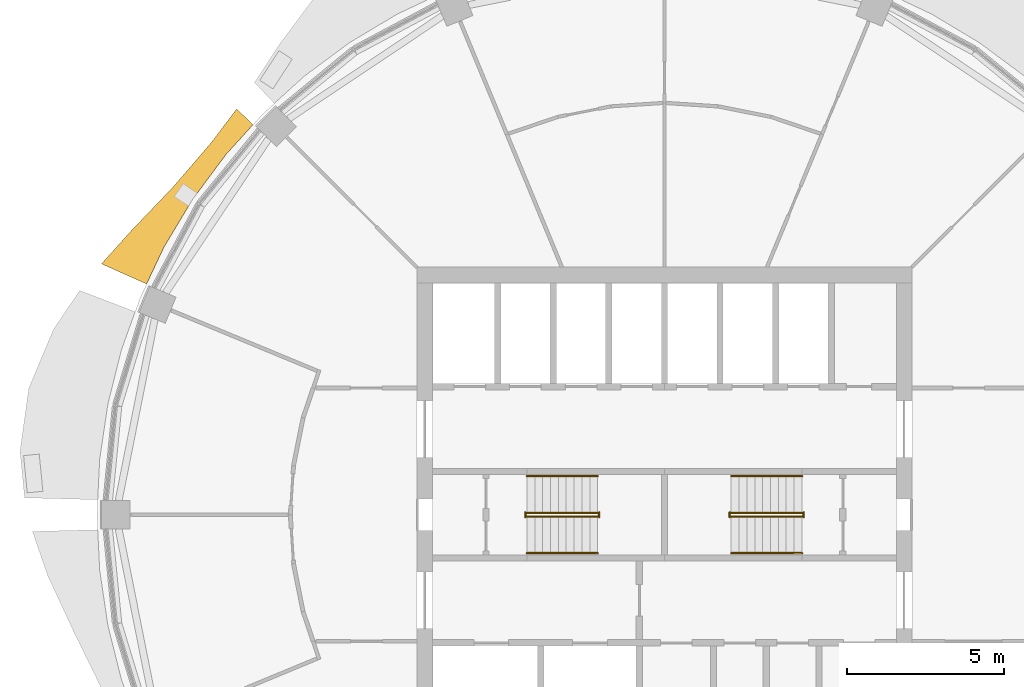
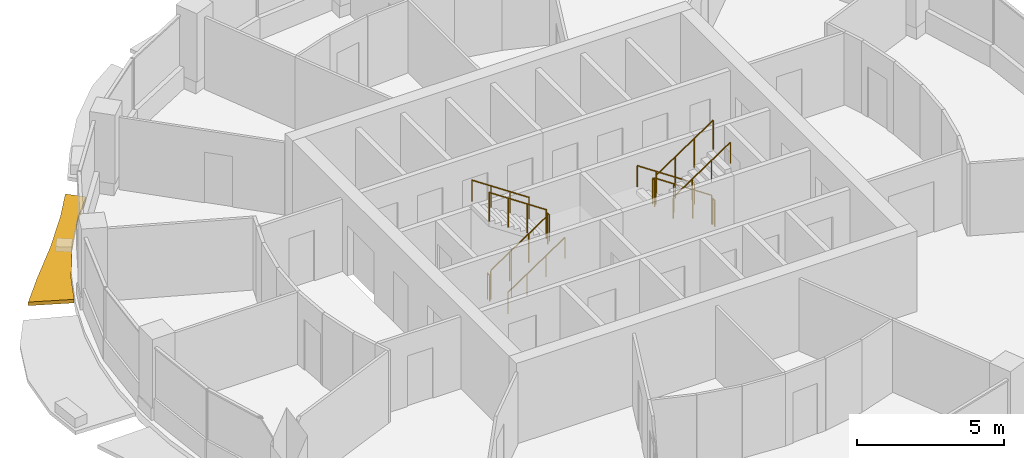
# One storey, part 13 of 15: 12 railings, 1 shading device.
"""IFC4 building model written with IfcOpenShell, lengths in metres."""

from ifc_helpers import new_model, si_unit, direction, frame, origin, origin_2d, place, context, subcontext, project, spatial, polyline, circle, outline, extrude, material, type_object, element, save


model = new_model("IFC4")

# Units and contexts
model_context = context("Model", 3, precision=1e-05, world=origin(), true_north=direction((0.0, 1.0)))
body_context = subcontext(model_context, "Body", "Model", "MODEL_VIEW")
ifc_project = project(units=[si_unit("LENGTHUNIT", "METRE"), si_unit("AREAUNIT", "SQUARE_METRE"), si_unit("VOLUMEUNIT", "CUBIC_METRE"), si_unit("PLANEANGLEUNIT", "RADIAN"), si_unit("MASSUNIT", "GRAM", prefix="KILO")], contexts=[model_context])

# Site, building, storey
site_placement = place(None, origin())
site = spatial("IfcSite", under=ifc_project, at=site_placement, CompositionType="ELEMENT")
building_placement = place(site_placement, origin())
building = spatial("IfcBuilding", under=site, at=building_placement, Name="Polderwave Tower", CompositionType="ELEMENT")
storey_placement = place(building_placement, frame((0.0, 0.0, 187.64990234375)))
storey = spatial("IfcBuildingStorey", under=building, at=storey_placement, Name="L50", CompositionType="ELEMENT", Elevation=187.64990234375)

# Railings
ifc_material_1 = material(Name="Stainless steel", Category="steel")
railing_type_1 = type_object("IfcRailingType", Name="Stair guard 1100", PredefinedType="GUARDRAIL", material=ifc_material_1)
railing_1_placement = place(storey_placement, frame((-4.3740234375, -0.051025390625, 0.04736328125)))
element("IfcRailing", 1, at=railing_1_placement, inside=storey, type_object=railing_type_1, Name="L50 ST-A stair guard 1", PredefinedType="GUARDRAIL", context=body_context, shape_type="SweptSolid", body=[
    extrude(circle(Radius=0.02392578125, at=origin_2d()), frame((0.0, 0.0, 1.1962890625), z_axis=(0.830758306289, 0.0, 0.556633305266), x_axis=(0.0, 1.0, 0.0)), (0.0, 0.0, 1.0), 2.708251953125),
    extrude(circle(Radius=0.02392578125, at=origin_2d()), origin(), (0.0, 0.0, 1.0), 1.172119140625),
    extrude(circle(Radius=0.02392578125, at=origin_2d()), frame((0.75, 0.0, 0.50244140625)), (0.0, 0.0, 1.0), 1.172119140625),
    extrude(circle(Radius=0.02392578125, at=origin_2d()), frame((1.5, 0.0, 1.005126953125)), (0.0, 0.0, 1.0), 1.172119140625),
    extrude(circle(Radius=0.02392578125, at=origin_2d()), frame((2.25, 0.0, 1.507568359375)), (0.0, 0.0, 1.0), 1.172119140625),
])
railing_2_placement = place(storey_placement, frame((-2.073974609375, -0.074951171875, 1.675048828125)))
element("IfcRailing", 2, at=railing_2_placement, inside=storey, type_object=railing_type_1, Name="L50 ST-A stair guard 2", PredefinedType="GUARDRAIL", context=body_context, shape_type="SweptSolid", body=[
    extrude(circle(Radius=0.02392578125, at=origin_2d()), frame((0.0, 0.0, 1.076171875), z_axis=(0.0, 1.0, 0.0), x_axis=(-1.0, 0.0, 0.0)), (0.0, 0.0, 1.0), 0.14990234375),
    extrude(circle(Radius=0.02099609375, at=origin_2d()), origin(), (0.0, 0.0, 1.0), 1.052001953125),
    extrude(circle(Radius=0.02099609375, at=origin_2d()), frame((0.0, 0.14990234375, 0.0)), (0.0, 0.0, 1.0), 1.052001953125),
])
railing_3_placement = place(storey_placement, frame((-2.1240234375, 0.051025390625, 1.722412109375)))
element("IfcRailing", 3, at=railing_3_placement, inside=storey, type_object=railing_type_1, Name="L50 ST-A stair guard 3", PredefinedType="GUARDRAIL", context=body_context, shape_type="SweptSolid", body=[
    extrude(circle(Radius=0.02392578125, at=origin_2d()), frame((0.0, 0.0, 1.1962890625), z_axis=(-0.830758306289, 0.0, 0.556633305266), x_axis=(0.0, -1.0, 0.0)), (0.0, 0.0, 1.0), 2.708251953125),
    extrude(circle(Radius=0.02392578125, at=origin_2d()), origin(), (0.0, 0.0, 1.0), 1.172119140625),
    extrude(circle(Radius=0.02392578125, at=origin_2d()), frame((-0.75, 0.0, 0.50244140625)), (0.0, 0.0, 1.0), 1.172119140625),
    extrude(circle(Radius=0.02392578125, at=origin_2d()), frame((-1.5, 0.0, 1.005126953125)), (0.0, 0.0, 1.0), 1.172119140625),
    extrude(circle(Radius=0.02392578125, at=origin_2d()), frame((-2.25, 0.0, 1.507568359375)), (0.0, 0.0, 1.0), 1.172119140625),
])
railing_4_placement = place(storey_placement, frame((-4.424072265625, -0.074951171875, 0.0)))
element("IfcRailing", 4, at=railing_4_placement, inside=storey, type_object=railing_type_1, Name="L50 ST-A stair guard 4", PredefinedType="GUARDRAIL", context=body_context, shape_type="SweptSolid", body=[
    extrude(circle(Radius=0.02392578125, at=origin_2d()), frame((0.0, 0.0, 1.076171875), z_axis=(0.0, 1.0, 0.0), x_axis=(-1.0, 0.0, 0.0)), (0.0, 0.0, 1.0), 0.14990234375),
    extrude(circle(Radius=0.02099609375, at=origin_2d()), origin(), (0.0, 0.0, 1.0), 1.052001953125),
    extrude(circle(Radius=0.02099609375, at=origin_2d()), frame((0.0, 0.14990234375, 0.0)), (0.0, 0.0, 1.0), 1.052001953125),
])
railing_5_placement = place(storey_placement, frame((4.3740234375, 0.051025390625, 0.04736328125)))
element("IfcRailing", 5, at=railing_5_placement, inside=storey, type_object=railing_type_1, Name="L50 ST-B stair guard 1", PredefinedType="GUARDRAIL", context=body_context, shape_type="SweptSolid", body=[
    extrude(circle(Radius=0.02392578125, at=origin_2d()), frame((0.0, 0.0, 1.1962890625), z_axis=(-0.830758306289, 0.0, 0.556633305266), x_axis=(0.0, -1.0, 0.0)), (0.0, 0.0, 1.0), 2.708251953125),
    extrude(circle(Radius=0.02392578125, at=origin_2d()), origin(), (0.0, 0.0, 1.0), 1.172119140625),
    extrude(circle(Radius=0.02392578125, at=origin_2d()), frame((-0.75, 0.0, 0.50244140625)), (0.0, 0.0, 1.0), 1.172119140625),
    extrude(circle(Radius=0.02392578125, at=origin_2d()), frame((-1.5, 0.0, 1.005126953125)), (0.0, 0.0, 1.0), 1.172119140625),
    extrude(circle(Radius=0.02392578125, at=origin_2d()), frame((-2.25, 0.0, 1.507568359375)), (0.0, 0.0, 1.0), 1.172119140625),
])
railing_6_placement = place(storey_placement, frame((2.073974609375, 0.074951171875, 1.675048828125)))
element("IfcRailing", 6, at=railing_6_placement, inside=storey, type_object=railing_type_1, Name="L50 ST-B stair guard 2", PredefinedType="GUARDRAIL", context=body_context, shape_type="SweptSolid", body=[
    extrude(circle(Radius=0.02392578125, at=origin_2d()), frame((0.0, 0.0, 1.076171875), z_axis=(0.0, -1.0, 0.0), x_axis=(1.0, 0.0, 0.0)), (0.0, 0.0, 1.0), 0.14990234375),
    extrude(circle(Radius=0.02099609375, at=origin_2d()), origin(), (0.0, 0.0, 1.0), 1.052001953125),
    extrude(circle(Radius=0.02099609375, at=origin_2d()), frame((0.0, -0.14990234375, 0.0)), (0.0, 0.0, 1.0), 1.052001953125),
])
railing_7_placement = place(storey_placement, frame((2.1240234375, -0.051025390625, 1.722412109375)))
element("IfcRailing", 7, at=railing_7_placement, inside=storey, type_object=railing_type_1, Name="L50 ST-B stair guard 3", PredefinedType="GUARDRAIL", context=body_context, shape_type="SweptSolid", body=[
    extrude(circle(Radius=0.02392578125, at=origin_2d()), frame((0.0, 0.0, 1.1962890625), z_axis=(0.830758306289, 0.0, 0.556633305266), x_axis=(0.0, 1.0, 0.0)), (0.0, 0.0, 1.0), 2.708251953125),
    extrude(circle(Radius=0.02392578125, at=origin_2d()), origin(), (0.0, 0.0, 1.0), 1.172119140625),
    extrude(circle(Radius=0.02392578125, at=origin_2d()), frame((0.75, 0.0, 0.50244140625)), (0.0, 0.0, 1.0), 1.172119140625),
    extrude(circle(Radius=0.02392578125, at=origin_2d()), frame((1.5, 0.0, 1.005126953125)), (0.0, 0.0, 1.0), 1.172119140625),
    extrude(circle(Radius=0.02392578125, at=origin_2d()), frame((2.25, 0.0, 1.507568359375)), (0.0, 0.0, 1.0), 1.172119140625),
])
railing_8_placement = place(storey_placement, frame((4.424072265625, 0.074951171875, 0.0)))
element("IfcRailing", 8, at=railing_8_placement, inside=storey, type_object=railing_type_1, Name="L50 ST-B stair guard 4", PredefinedType="GUARDRAIL", context=body_context, shape_type="SweptSolid", body=[
    extrude(circle(Radius=0.02392578125, at=origin_2d()), frame((0.0, 0.0, 1.076171875), z_axis=(0.0, -1.0, 0.0), x_axis=(1.0, 0.0, 0.0)), (0.0, 0.0, 1.0), 0.14990234375),
    extrude(circle(Radius=0.02099609375, at=origin_2d()), origin(), (0.0, 0.0, 1.0), 1.052001953125),
    extrude(circle(Radius=0.02099609375, at=origin_2d()), frame((0.0, -0.14990234375, 0.0)), (0.0, 0.0, 1.0), 1.052001953125),
])
railing_type_2 = type_object("IfcRailingType", Name="Stair handrail 900", PredefinedType="HANDRAIL", material=ifc_material_1)
railing_9_placement = place(storey_placement, frame((-4.3740234375, -1.22509765625, 0.16748046875)))
element("IfcRailing", 9, at=railing_9_placement, inside=storey, type_object=railing_type_2, Name="L50 ST-A stair handrail 1", PredefinedType="HANDRAIL", context=body_context, shape_type="SweptSolid", body=[
    extrude(circle(Radius=0.02392578125, at=origin_2d()), frame((0.0, 0.0, 0.8759765625), z_axis=(0.830758306289, 0.0, 0.556633305266), x_axis=(0.0, 1.0, 0.0)), (0.0, 0.0, 1.0), 2.708251953125),
    extrude(circle(Radius=0.02099609375, at=origin_2d()), origin(), (0.0, 0.0, 1.0), 0.851806640625),
    extrude(circle(Radius=0.02099609375, at=origin_2d()), frame((0.75, 0.0, 0.50244140625)), (0.0, 0.0, 1.0), 0.851806640625),
    extrude(circle(Radius=0.02099609375, at=origin_2d()), frame((1.5, 0.0, 1.005126953125)), (0.0, 0.0, 1.0), 0.851806640625),
    extrude(circle(Radius=0.02099609375, at=origin_2d()), frame((2.25, 0.0, 1.507568359375)), (0.0, 0.0, 1.0), 0.851806640625),
])
for number, where, name in (
    (10, (-2.1240234375, 1.22509765625, 1.842529296875), "L50 ST-A stair handrail 2"),
    (11, (4.3740234375, 1.22509765625, 0.16748046875), "L50 ST-B stair handrail 1"),
):
    element("IfcRailing", number, at=place(storey_placement, frame(where)), inside=storey, type_object=railing_type_2, Name=name, PredefinedType="HANDRAIL", context=body_context, shape_type="SweptSolid", body=[
        extrude(circle(Radius=0.02392578125, at=origin_2d()), frame((0.0, 0.0, 0.8759765625), z_axis=(-0.830758306289, 0.0, 0.556633305266), x_axis=(0.0, -1.0, 0.0)), (0.0, 0.0, 1.0), 2.708251953125),
        extrude(circle(Radius=0.02099609375, at=origin_2d()), origin(), (0.0, 0.0, 1.0), 0.851806640625),
        extrude(circle(Radius=0.02099609375, at=origin_2d()), frame((-0.75, 0.0, 0.50244140625)), (0.0, 0.0, 1.0), 0.851806640625),
        extrude(circle(Radius=0.02099609375, at=origin_2d()), frame((-1.5, 0.0, 1.005126953125)), (0.0, 0.0, 1.0), 0.851806640625),
        extrude(circle(Radius=0.02099609375, at=origin_2d()), frame((-2.25, 0.0, 1.507568359375)), (0.0, 0.0, 1.0), 0.851806640625),
    ])
railing_10_placement = place(storey_placement, frame((2.1240234375, -1.22509765625, 1.842529296875)))
element("IfcRailing", 12, at=railing_10_placement, inside=storey, type_object=railing_type_2, Name="L50 ST-B stair handrail 2", PredefinedType="HANDRAIL", context=body_context, shape_type="SweptSolid", body=[
    extrude(circle(Radius=0.02392578125, at=origin_2d()), frame((0.0, 0.0, 0.8759765625), z_axis=(0.830758306289, 0.0, 0.556633305266), x_axis=(0.0, 1.0, 0.0)), (0.0, 0.0, 1.0), 2.708251953125),
    extrude(circle(Radius=0.02099609375, at=origin_2d()), origin(), (0.0, 0.0, 1.0), 0.851806640625),
    extrude(circle(Radius=0.02099609375, at=origin_2d()), frame((0.75, 0.0, 0.50244140625)), (0.0, 0.0, 1.0), 0.851806640625),
    extrude(circle(Radius=0.02099609375, at=origin_2d()), frame((1.5, 0.0, 1.005126953125)), (0.0, 0.0, 1.0), 0.851806640625),
    extrude(circle(Radius=0.02099609375, at=origin_2d()), frame((2.25, 0.0, 1.507568359375)), (0.0, 0.0, 1.0), 0.851806640625),
])

# Shading device
ifc_material_2 = material(Name="Terracotta", Category="masonry")
shading_device_type = type_object("IfcShadingDeviceType", Name="Terracotta sunshade band", PredefinedType="USERDEFINED", material=ifc_material_2)
shading_device_placement = place(storey_placement, frame((0.0, 0.0, -0.349853515625)))
element("IfcShadingDevice", 13, at=shading_device_placement, inside=storey, type_object=shading_device_type, Name="Sunshade band L50 7", ObjectType="SUNSHADE", PredefinedType="USERDEFINED", context=body_context, shape_type="SweptSolid", body=[
    extrude(outline(polyline([(-13.083984375, 12.4091796875), (-13.952880859375, 11.45068359375), (-15.008056640625, 10.028076171875), (-15.918701171875, 8.5087890625), (-16.4716796875, 7.33935546875), (-17.90771484375, 7.97900390625), (-16.939697265625, 9.054443359375), (-15.618408203125, 10.435791015625), (-14.418212890625, 11.832763671875), (-13.606689453125, 12.905029296875), (-13.083984375, 12.4091796875)])), origin(), (0.0, 0.0, 1.0), 0.14990234375),
])

save(model, "model.ifc")
